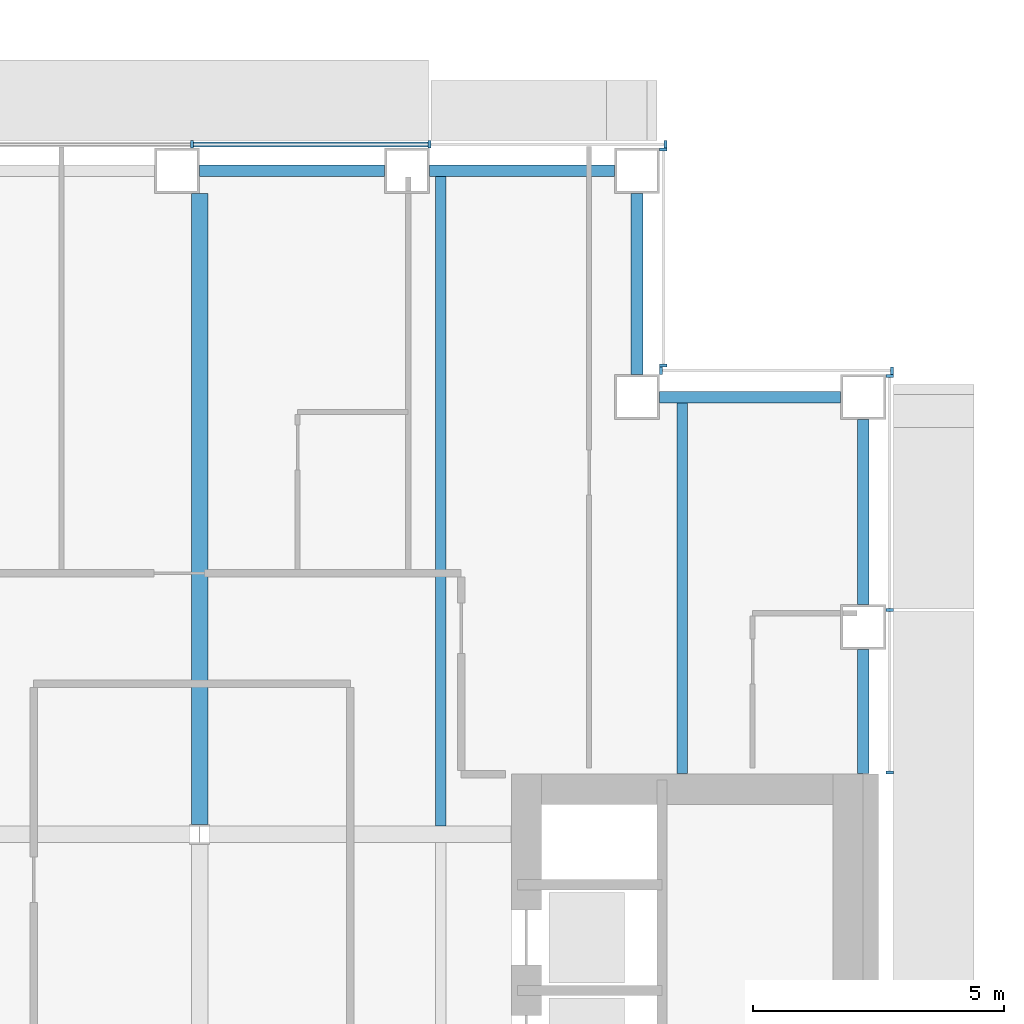
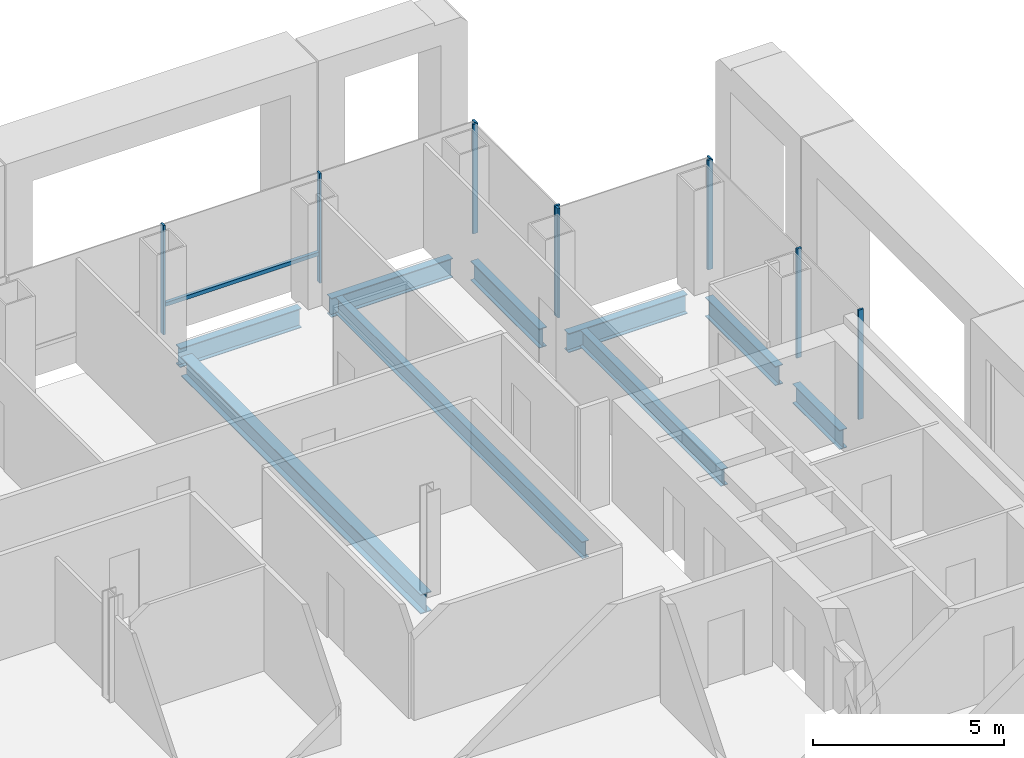
# One storey, part 8 of 20: 11 members, 9 beams, 4 elements without a shape of their own.
"""IFC4 building model written with IfcOpenShell, lengths in metres."""

import ifcopenshell
import ifcopenshell.guid

model = None  # the IFC model being written
_history = None  # IfcOwnerHistory: only IFC2X3 demands one
_inside = {}  # id of a spatial element -> (the spatial element, [elements in it])
_under = {}  # id of a project, library or spatial element -> (it, [spatial elements below it])
_declared = {}  # id of a project -> (the project, [libraries it declares])
_typed = {}  # id of a type object -> (the type object, [elements of that type])
_made_of = {}  # id of a material, layer set ... -> (it, [elements and type objects made of it])


def new_model(schema):
    """Start an empty IFC model of exactly this schema.

    Asked for "IFC4X3", IfcOpenShell would pick the latest addendum, in which some entities
    have other attributes; the version numbers below select the first issue.
    IFC2X3 requires an IfcOwnerHistory on every rooted entity: one is made here for all.
    """
    global model, _history
    if schema == "IFC4X3":
        model = ifcopenshell.file(schema_version=(4, 3, 0, 0))
    else:
        model = ifcopenshell.file(schema=schema)
    _inside.clear()
    _under.clear()
    _declared.clear()
    _typed.clear()
    _made_of.clear()
    _history = None
    if model.schema == "IFC2X3":
        org = make("IfcOrganization", Name="unknown")
        user = make(
            "IfcPersonAndOrganization",
            ThePerson=make("IfcPerson", FamilyName="unknown"),
            TheOrganization=org,
        )
        app = make(
            "IfcApplication",
            ApplicationDeveloper=org,
            Version="unknown",
            ApplicationFullName="unknown",
            ApplicationIdentifier="unknown",
        )
        _history = make(
            "IfcOwnerHistory",
            OwningUser=user,
            OwningApplication=app,
            ChangeAction="ADDED",
            CreationDate=0,
        )
    return model


def make(cls, **values):
    """One entity of the class cls with the attributes given. An attribute that is None is left unset."""
    return model.create_entity(
        cls, **{name: value for name, value in values.items() if value is not None}
    )


def rooted(cls, **values):
    """An entity with a GlobalId (a new one), such as an element, a storey or a relation."""
    return make(cls, GlobalId=ifcopenshell.guid.new(), OwnerHistory=_history, **values)


def si_unit(unit_type, name, prefix=None):
    """IfcSIUnit, for example si_unit("LENGTHUNIT", "METRE", prefix="MILLI")."""
    return make("IfcSIUnit", UnitType=unit_type, Prefix=prefix, Name=name)


def assignment(units):
    """IfcUnitAssignment: the units of a project."""
    return None if units is None else make("IfcUnitAssignment", Units=units)


def point(xyz):
    """IfcCartesianPoint."""
    return None if xyz is None else make("IfcCartesianPoint", Coordinates=xyz)


def direction(xyz):
    """IfcDirection."""
    return None if xyz is None else make("IfcDirection", DirectionRatios=xyz)


def frame(location, z_axis=None, x_axis=None):
    """IfcAxis2Placement3D, a coordinate frame: its origin and axes. An axis left out is left unset."""
    return make(
        "IfcAxis2Placement3D",
        Location=point(location),
        Axis=direction(z_axis),
        RefDirection=direction(x_axis),
    )


def frame_2d(location, x_axis=None):
    """IfcAxis2Placement2D, a coordinate frame in the plane: its origin and x axis."""
    return make(
        "IfcAxis2Placement2D", Location=point(location), RefDirection=direction(x_axis)
    )


def origin():
    """The frame at (0, 0, 0) with its axes left unset."""
    return frame((0.0, 0.0, 0.0))


def origin_2d():
    """The frame at (0, 0) in the plane with its x axis left unset."""
    return frame_2d((0.0, 0.0))


def place(relative_to, where):
    """IfcLocalPlacement: puts the frame where relative to a parent placement (None: the world)."""
    return make(
        "IfcLocalPlacement", PlacementRelTo=relative_to, RelativePlacement=where
    )


def context(
    kind, dimensions, precision=None, world=None, true_north=None, identifier=None
):
    """IfcGeometricRepresentationContext, for example the 3D "Model" context."""
    return make(
        "IfcGeometricRepresentationContext",
        ContextIdentifier=identifier,
        ContextType=kind,
        CoordinateSpaceDimension=dimensions,
        Precision=precision,
        WorldCoordinateSystem=world,
        TrueNorth=true_north,
    )


def subcontext(parent, identifier, kind, view, scale=None):
    """IfcGeometricRepresentationSubContext, for example "Body" below "Model"."""
    return make(
        "IfcGeometricRepresentationSubContext",
        ContextIdentifier=identifier,
        ContextType=kind,
        ParentContext=parent,
        TargetScale=scale,
        TargetView=view,
    )


def project(units=None, contexts=None):
    """IfcProject with its units and contexts."""
    return rooted(
        "IfcProject",
        Name="project",
        RepresentationContexts=contexts,
        UnitsInContext=assignment(units),
    )


def spatial(cls, under=None, at=None, **own):
    """A site, building, storey or space (cls), placed at a placement, below another one or the project."""
    s = rooted(cls, ObjectPlacement=at, **own)
    if under is not None:
        _under.setdefault(under.id(), (under, []))[1].append(s)
    return s


def profile(cls, at=None, kind="AREA", **sizes):
    """A parametric profile (cls). Its sizes go by their IFC names, for example OverallWidth=200.0."""
    return make(cls, ProfileType=kind, Position=at, **sizes)


def rectangle(**sizes):
    """IfcRectangleProfileDef."""
    return profile("IfcRectangleProfileDef", **sizes)


def i_section(**sizes):
    """IfcIShapeProfileDef."""
    return profile("IfcIShapeProfileDef", **sizes)


def extrude(swept, where, along, depth):
    """IfcExtrudedAreaSolid: the profile swept, set in the frame where, extruded along a direction by depth."""
    return make(
        "IfcExtrudedAreaSolid",
        SweptArea=swept,
        Position=where,
        ExtrudedDirection=direction(along),
        Depth=depth,
    )


def shape(context_of_items, identifier, shape_type, items):
    """IfcShapeRepresentation: the items that make up one representation, for example the "Body"."""
    return make(
        "IfcShapeRepresentation",
        ContextOfItems=context_of_items,
        RepresentationIdentifier=identifier,
        RepresentationType=shape_type,
        Items=items,
    )


def material(Name=None, Category=None):
    """IfcMaterial."""
    return make("IfcMaterial", Name=Name, Category=Category)


def material_profile(
    of_material, cross_section, Name=None, Category=None, Priority=None
):
    """IfcMaterialProfile: a cross section and its material."""
    return make(
        "IfcMaterialProfile",
        Name=Name,
        Material=of_material,
        Profile=cross_section,
        Priority=Priority,
        Category=Category,
    )


def profile_set(profiles, Name=None, composite=None):
    """IfcMaterialProfileSet."""
    return make(
        "IfcMaterialProfileSet",
        Name=Name,
        MaterialProfiles=profiles,
        CompositeProfile=composite,
    )


def made_of(thing, what):
    """Note that an element or type object is made of a material, layer set ...; save() writes the relation."""
    if what is not None:
        _made_of.setdefault(what.id(), (what, []))[1].append(thing)
    return thing


def type_object(cls, material=None, **own):
    """A type object (cls), such as IfcWallType, which elements share."""
    return made_of(rooted(cls, **own), material)


def element(
    cls,
    number,
    at=None,
    inside=None,
    cuts=None,
    type_object=None,
    material=None,
    context=None,
    identifier="Body",
    shape_type=None,
    held_by="IfcProductDefinitionShape",
    body=None,
    shapes=None,
    **own,
):
    """One element of the class cls, such as IfcWall. Its Tag is "e" and its number.

    at: its placement. inside: the storey or other place that contains it. cuts: it is an
    opening in that element (IfcRelVoidsElement). A single representation is given by context,
    identifier, shape_type and body (its items); several are given by shapes. held_by: the class
    of the entity that holds the representations. save() writes the other relations.
    """
    e = rooted(cls, Tag="e%d" % number, ObjectPlacement=at, **own)
    if body is not None:
        shapes = [shape(context, identifier, shape_type, body)]
    if shapes is not None:
        e.Representation = make(held_by, Representations=shapes)
    if inside is not None:
        _inside.setdefault(inside.id(), (inside, []))[1].append(e)
    if cuts is not None:
        rooted(
            "IfcRelVoidsElement", RelatingBuildingElement=cuts, RelatedOpeningElement=e
        )
    if type_object is not None:
        _typed.setdefault(type_object.id(), (type_object, []))[1].append(e)
    return made_of(e, material)


def aggregate(whole, parts):
    """IfcRelAggregates: a whole, such as a stair, and the parts it consists of."""
    return rooted("IfcRelAggregates", RelatingObject=whole, RelatedObjects=parts)


def save(model, path):
    """Write the relations noted so far, then the file.

    IfcRelAggregates (storeys below a building ...), IfcRelContainedInSpatialStructure (elements
    in a storey), IfcRelDefinesByType, IfcRelAssociatesMaterial and IfcRelDeclares: one each for
    every whole, place, type object, material and project.
    """
    for whole, parts in _under.values():
        aggregate(whole, parts)
    for where, things in _inside.values():
        rooted(
            "IfcRelContainedInSpatialStructure",
            RelatedElements=things,
            RelatingStructure=where,
        )
    for kind, things in _typed.values():
        rooted("IfcRelDefinesByType", RelatedObjects=things, RelatingType=kind)
    for what, things in _made_of.values():
        rooted("IfcRelAssociatesMaterial", RelatedObjects=things, RelatingMaterial=what)
    for by, libraries in _declared.values():
        rooted("IfcRelDeclares", RelatingContext=by, RelatedDefinitions=libraries)
    model.write(path)


model = new_model("IFC4")

# Units and contexts
model_context = context("Model", 3, precision=1e-05, world=origin(), true_north=direction((0.0, 1.0)))
body_context = subcontext(model_context, "Body", "Model", "MODEL_VIEW")
ifc_project = project(units=[si_unit("LENGTHUNIT", "METRE"), si_unit("AREAUNIT", "SQUARE_METRE"), si_unit("VOLUMEUNIT", "CUBIC_METRE"), si_unit("PLANEANGLEUNIT", "RADIAN"), si_unit("MASSUNIT", "GRAM", prefix="KILO")], contexts=[model_context])

# Site, building, storey
site_placement = place(None, origin())
site = spatial("IfcSite", under=ifc_project, at=site_placement, CompositionType="ELEMENT")
building_placement = place(site_placement, origin())
building = spatial("IfcBuilding", under=site, at=building_placement, Name="Cobrizo Arcos Hotel Tower", CompositionType="ELEMENT")
storey_placement = place(building_placement, frame((0.0, 0.0, 110.0)))
storey = spatial("IfcBuildingStorey", under=building, at=storey_placement, Name="L27", CompositionType="ELEMENT", Elevation=110.0)

# Curtain wall, members
ifc_material_1 = material(Name="Aluminium 6063-T6 anodised bronze", Category="aluminium")
curtain_wall_type = type_object("IfcCurtainWallType", Name="CW-A guest facade", PredefinedType="NOTDEFINED", material=ifc_material_1)
curtain_wall_1_placement = place(storey_placement, origin())
curtain_wall_1 = element("IfcCurtainWall", 1, at=curtain_wall_1_placement, inside=storey, type_object=curtain_wall_type, Name="CW-A L27 E face", PredefinedType="NOTDEFINED")
ifc_material_profile_1 = material_profile(ifc_material_1, rectangle(XDim=0.14990234375, YDim=0.06005859375, at=origin_2d()), Name="CW-A mullion 150x60")
ifc_profile_set_1 = profile_set([ifc_material_profile_1], Name="Aluminium 6063-T6 anodised bronze")
member_type_1 = type_object("IfcMemberType", Name="CW-A mullion 150x60", PredefinedType="MULLION", material=ifc_profile_set_1)
member_1_placement = place(storey_placement, frame((23.324951171875, 10.830078125, 0.0), z_axis=(0.0, 0.0, 1.0), x_axis=(1.0, 0.0, 0.0)))
member_1 = element("IfcMember", 2, at=member_1_placement, type_object=member_type_1, Name="CW-A mullion 1", PredefinedType="MULLION", context=body_context, shape_type="SweptSolid", body=[
    extrude(rectangle(XDim=0.14990234375, YDim=0.06005859375, at=origin_2d()), origin(), (0.0, 0.0, 1.0), 3.5),
])
member_2_placement = place(storey_placement, frame((23.324951171875, 14.0625, 0.0), z_axis=(0.0, 0.0, 1.0), x_axis=(1.0, 0.0, 0.0)))
member_2 = element("IfcMember", 3, at=member_2_placement, type_object=member_type_1, Name="CW-A mullion 2", PredefinedType="MULLION", context=body_context, shape_type="SweptSolid", body=[
    extrude(rectangle(XDim=0.14990234375, YDim=0.06005859375, at=origin_2d()), origin(), (0.0, 0.0, 1.0), 3.5),
])
member_3_placement = place(storey_placement, frame((23.324951171875, 18.719970703125, 0.0), z_axis=(0.0, 0.0, 1.0), x_axis=(1.0, 0.0, 0.0)))
member_3 = element("IfcMember", 4, at=member_3_placement, type_object=member_type_1, Name="CW-A mullion 3", PredefinedType="MULLION", context=body_context, shape_type="SweptSolid", body=[
    extrude(rectangle(XDim=0.14990234375, YDim=0.06005859375, at=origin_2d()), origin(), (0.0, 0.0, 1.0), 3.5),
])
aggregate(curtain_wall_1, [member_1, member_2, member_3])

curtain_wall_2_placement = place(storey_placement, origin())
curtain_wall_2 = element("IfcCurtainWall", 5, at=curtain_wall_2_placement, inside=storey, type_object=curtain_wall_type, Name="CW-A L27 N face", PredefinedType="NOTDEFINED")
member_4_placement = place(storey_placement, frame((23.3701171875, 18.824951171875, 0.0), z_axis=(0.0, 0.0, 1.0), x_axis=(0.0, 1.0, 0.0)))
member_4 = element("IfcMember", 6, at=member_4_placement, type_object=member_type_1, Name="CW-A mullion 1", PredefinedType="MULLION", context=body_context, shape_type="SweptSolid", body=[
    extrude(rectangle(XDim=0.14990234375, YDim=0.06005859375, at=origin_2d()), origin(), (0.0, 0.0, 1.0), 3.5),
])
member_5_placement = place(storey_placement, frame((18.780029296875, 18.824951171875, 0.0), z_axis=(0.0, 0.0, 1.0), x_axis=(0.0, 1.0, 0.0)))
member_5 = element("IfcMember", 7, at=member_5_placement, type_object=member_type_1, Name="CW-A mullion 2", PredefinedType="MULLION", context=body_context, shape_type="SweptSolid", body=[
    extrude(rectangle(XDim=0.14990234375, YDim=0.06005859375, at=origin_2d()), origin(), (0.0, 0.0, 1.0), 3.5),
])
aggregate(curtain_wall_2, [member_4, member_5])

curtain_wall_3_placement = place(storey_placement, origin())
curtain_wall_3 = element("IfcCurtainWall", 8, at=curtain_wall_3_placement, inside=storey, type_object=curtain_wall_type, Name="CW-A L27 E face", PredefinedType="NOTDEFINED")
member_6_placement = place(storey_placement, frame((18.824951171875, 18.929931640625, 0.0), z_axis=(0.0, 0.0, 1.0), x_axis=(1.0, 0.0, 0.0)))
member_6 = element("IfcMember", 9, at=member_6_placement, type_object=member_type_1, Name="CW-A mullion 1", PredefinedType="MULLION", context=body_context, shape_type="SweptSolid", body=[
    extrude(rectangle(XDim=0.14990234375, YDim=0.06005859375, at=origin_2d()), origin(), (0.0, 0.0, 1.0), 3.5),
])
member_7_placement = place(storey_placement, frame((18.824951171875, 23.219970703125, 0.0), z_axis=(0.0, 0.0, 1.0), x_axis=(1.0, 0.0, 0.0)))
member_7 = element("IfcMember", 10, at=member_7_placement, type_object=member_type_1, Name="CW-A mullion 2", PredefinedType="MULLION", context=body_context, shape_type="SweptSolid", body=[
    extrude(rectangle(XDim=0.14990234375, YDim=0.06005859375, at=origin_2d()), origin(), (0.0, 0.0, 1.0), 3.5),
])
aggregate(curtain_wall_3, [member_6, member_7])

curtain_wall_4_placement = place(storey_placement, origin())
curtain_wall_4 = element("IfcCurtainWall", 11, at=curtain_wall_4_placement, inside=storey, type_object=curtain_wall_type, Name="CW-A L27 N face", PredefinedType="NOTDEFINED")
member_8_placement = place(storey_placement, frame((18.8701171875, 23.324951171875, 0.0), z_axis=(0.0, 0.0, 1.0), x_axis=(0.0, 1.0, 0.0)))
member_8 = element("IfcMember", 12, at=member_8_placement, type_object=member_type_1, Name="CW-A mullion 1", PredefinedType="MULLION", context=body_context, shape_type="SweptSolid", body=[
    extrude(rectangle(XDim=0.14990234375, YDim=0.06005859375, at=origin_2d()), origin(), (0.0, 0.0, 1.0), 3.5),
])
member_9_placement = place(storey_placement, frame((14.175048828125, 23.324951171875, 0.0), z_axis=(0.0, 0.0, 1.0), x_axis=(0.0, 1.0, 0.0)))
member_9 = element("IfcMember", 13, at=member_9_placement, type_object=member_type_1, Name="CW-A mullion 2", PredefinedType="MULLION", context=body_context, shape_type="SweptSolid", body=[
    extrude(rectangle(XDim=0.14990234375, YDim=0.06005859375, at=origin_2d()), origin(), (0.0, 0.0, 1.0), 3.5),
])
member_10_placement = place(storey_placement, frame((9.449951171875, 23.324951171875, 0.0), z_axis=(0.0, 0.0, 1.0), x_axis=(0.0, 1.0, 0.0)))
member_10 = element("IfcMember", 14, at=member_10_placement, type_object=member_type_1, Name="CW-A mullion 3", PredefinedType="MULLION", context=body_context, shape_type="SweptSolid", body=[
    extrude(rectangle(XDim=0.14990234375, YDim=0.06005859375, at=origin_2d()), origin(), (0.0, 0.0, 1.0), 3.5),
])
ifc_material_profile_2 = material_profile(ifc_material_1, rectangle(XDim=0.10009765625, YDim=0.1201171875, at=origin_2d()), Name="CW-A transom 120x100")
ifc_profile_set_2 = profile_set([ifc_material_profile_2], Name="Aluminium 6063-T6 anodised bronze")
member_type_2 = type_object("IfcMemberType", Name="CW-A transom 120x100", PredefinedType="USERDEFINED", material=ifc_profile_set_2)
member_11_placement = place(storey_placement, frame((14.14501953125, 23.324951171875, 0.929931640625), z_axis=(-1.0, 0.0, 0.0), x_axis=(0.0, -1.0, 0.0)))
member_11 = element("IfcMember", 15, at=member_11_placement, type_object=member_type_2, Name="CW-A transom 1060", ObjectType="TRANSOM", PredefinedType="USERDEFINED", context=body_context, shape_type="SweptSolid", body=[
    extrude(rectangle(XDim=0.10009765625, YDim=0.1201171875, at=origin_2d()), origin(), (0.0, 0.0, 1.0), 4.6650390625),
])
aggregate(curtain_wall_4, [member_8, member_9, member_10, member_11])

# Beams
ifc_material_2 = material(Name="Steel ASTM A992 Grade 50", Category="steel")
ifc_material_profile_3 = material_profile(ifc_material_2, i_section(OverallWidth=0.209228515625, OverallDepth=0.533447265625, WebThickness=0.01025390625, FlangeThickness=0.015625, at=origin_2d()), Name="W21X62")
ifc_profile_set_3 = profile_set([ifc_material_profile_3], Name="Steel ASTM A992 Grade 50")
beam_type_1 = type_object("IfcBeamType", Name="W21X62 joist", PredefinedType="JOIST", material=ifc_profile_set_3)
beam_1_placement = place(storey_placement, frame((14.39990234375, 9.763916015625, -0.416748046875), z_axis=(0.0, 1.0, 0.0), x_axis=(-1.0, 0.0, 0.0)))
element("IfcBeam", 16, at=beam_1_placement, inside=storey, type_object=beam_type_1, Name="Floor joist J1, L27, no. 018", PredefinedType="JOIST", context=body_context, shape_type="SweptSolid", body=[
    extrude(i_section(OverallWidth=0.209228515625, OverallDepth=0.533447265625, WebThickness=0.01025390625, FlangeThickness=0.015625, at=origin_2d()), origin(), (0.0, 0.0, 1.0), 12.946044921875),
])
beam_2_placement = place(storey_placement, frame((19.199951171875, 10.81005859375, -0.416748046875), z_axis=(0.0, 1.0, 0.0), x_axis=(-1.0, 0.0, 0.0)))
element("IfcBeam", 17, at=beam_2_placement, inside=storey, type_object=beam_type_1, Name="Floor joist J1, L27, no. 020", PredefinedType="JOIST", context=body_context, shape_type="SweptSolid", body=[
    extrude(i_section(OverallWidth=0.209228515625, OverallDepth=0.533447265625, WebThickness=0.01025390625, FlangeThickness=0.015625, at=origin_2d()), origin(), (0.0, 0.0, 1.0), 7.39990234375),
])
ifc_material_profile_4 = material_profile(ifc_material_2, i_section(OverallWidth=0.32763671875, OverallDepth=0.622314453125, WebThickness=0.015380859375, FlangeThickness=0.0244140625, at=origin_2d()), Name="W24X131")
ifc_profile_set_4 = profile_set([ifc_material_profile_4], Name="Steel ASTM A992 Grade 50")
beam_type_2 = type_object("IfcBeamType", Name="W24X131 girder", PredefinedType="BEAM", material=ifc_profile_set_4)
beam_3_placement = place(storey_placement, frame((9.60009765625, 9.79931640625, -0.461181640625), z_axis=(0.0, 1.0, 0.0), x_axis=(-1.0, 0.0, 0.0)))
element("IfcBeam", 18, at=beam_3_placement, inside=storey, type_object=beam_type_2, Name="Floor girder G1, L27, no. 024", PredefinedType="BEAM", context=body_context, shape_type="SweptSolid", body=[
    extrude(i_section(OverallWidth=0.32763671875, OverallDepth=0.622314453125, WebThickness=0.015380859375, FlangeThickness=0.0244140625, at=origin_2d()), origin(), (0.0, 0.0, 1.0), 12.55078125),
])
ifc_material_profile_5 = material_profile(ifc_material_2, i_section(OverallWidth=0.23046875, OverallDepth=0.6171875, WebThickness=0.01318359375, FlangeThickness=0.022216796875, at=origin_2d()), Name="W24X94")
ifc_profile_set_5 = profile_set([ifc_material_profile_5], Name="Steel ASTM A992 Grade 50")
beam_type_3 = type_object("IfcBeamType", Name="W24X94 spandrel", PredefinedType="SPANDREL", material=ifc_profile_set_5)
beam_4_placement = place(storey_placement, frame((22.800048828125, 10.81005859375, -0.45849609375), z_axis=(0.0, 1.0, 0.0), x_axis=(-1.0, 0.0, 0.0)))
element("IfcBeam", 19, at=beam_4_placement, inside=storey, type_object=beam_type_3, Name="Spandrel beam W24X94, L27, no. 013", PredefinedType="SPANDREL", context=body_context, shape_type="SweptSolid", body=[
    extrude(i_section(OverallWidth=0.23046875, OverallDepth=0.6171875, WebThickness=0.01318359375, FlangeThickness=0.022216796875, at=origin_2d()), origin(), (0.0, 0.0, 1.0), 2.46484375),
])
beam_5_placement = place(storey_placement, frame((22.800048828125, 14.175048828125, -0.45849609375), z_axis=(0.0, 1.0, 0.0), x_axis=(-1.0, 0.0, 0.0)))
element("IfcBeam", 20, at=beam_5_placement, inside=storey, type_object=beam_type_3, Name="Spandrel beam W24X94, L27, no. 014", PredefinedType="SPANDREL", context=body_context, shape_type="SweptSolid", body=[
    extrude(i_section(OverallWidth=0.23046875, OverallDepth=0.6171875, WebThickness=0.01318359375, FlangeThickness=0.022216796875, at=origin_2d()), origin(), (0.0, 0.0, 1.0), 3.675048828125),
])
for number, where, z_axis, x_axis, name in (
    (21, (22.35009765625, 18.300048828125, -0.45849609375), (-1.0, 0.0, 0.0), (0.0, -1.0, 0.0), "Spandrel beam W24X94, L27, no. 015"),
    (22, (18.300048828125, 18.75, -0.45849609375), (0.0, 1.0, 0.0), (-1.0, 0.0, 0.0), "Spandrel beam W24X94, L27, no. 016"),
):
    element("IfcBeam", number, at=place(storey_placement, frame(where, z_axis=z_axis, x_axis=x_axis)), inside=storey, type_object=beam_type_3, Name=name, PredefinedType="SPANDREL", context=body_context, shape_type="SweptSolid", body=[
        extrude(i_section(OverallWidth=0.23046875, OverallDepth=0.6171875, WebThickness=0.01318359375, FlangeThickness=0.022216796875, at=origin_2d()), origin(), (0.0, 0.0, 1.0), 3.60009765625),
    ])
beam_6_placement = place(storey_placement, frame((17.85009765625, 22.800048828125, -0.45849609375), z_axis=(-1.0, 0.0, 0.0), x_axis=(0.0, -1.0, 0.0)))
element("IfcBeam", 23, at=beam_6_placement, inside=storey, type_object=beam_type_3, Name="Spandrel beam W24X94, L27, no. 017", PredefinedType="SPANDREL", context=body_context, shape_type="SweptSolid", body=[
    extrude(i_section(OverallWidth=0.23046875, OverallDepth=0.6171875, WebThickness=0.01318359375, FlangeThickness=0.022216796875, at=origin_2d()), origin(), (0.0, 0.0, 1.0), 3.675048828125),
])
beam_7_placement = place(storey_placement, frame((13.27490234375, 22.800048828125, -0.45849609375), z_axis=(-1.0, 0.0, 0.0), x_axis=(0.0, -1.0, 0.0)))
element("IfcBeam", 24, at=beam_7_placement, inside=storey, type_object=beam_type_3, Name="Spandrel beam W24X94, L27, no. 018", PredefinedType="SPANDREL", context=body_context, shape_type="SweptSolid", body=[
    extrude(i_section(OverallWidth=0.23046875, OverallDepth=0.6171875, WebThickness=0.01318359375, FlangeThickness=0.022216796875, at=origin_2d()), origin(), (0.0, 0.0, 1.0), 3.6748046875),
])

save(model, "model.ifc")
